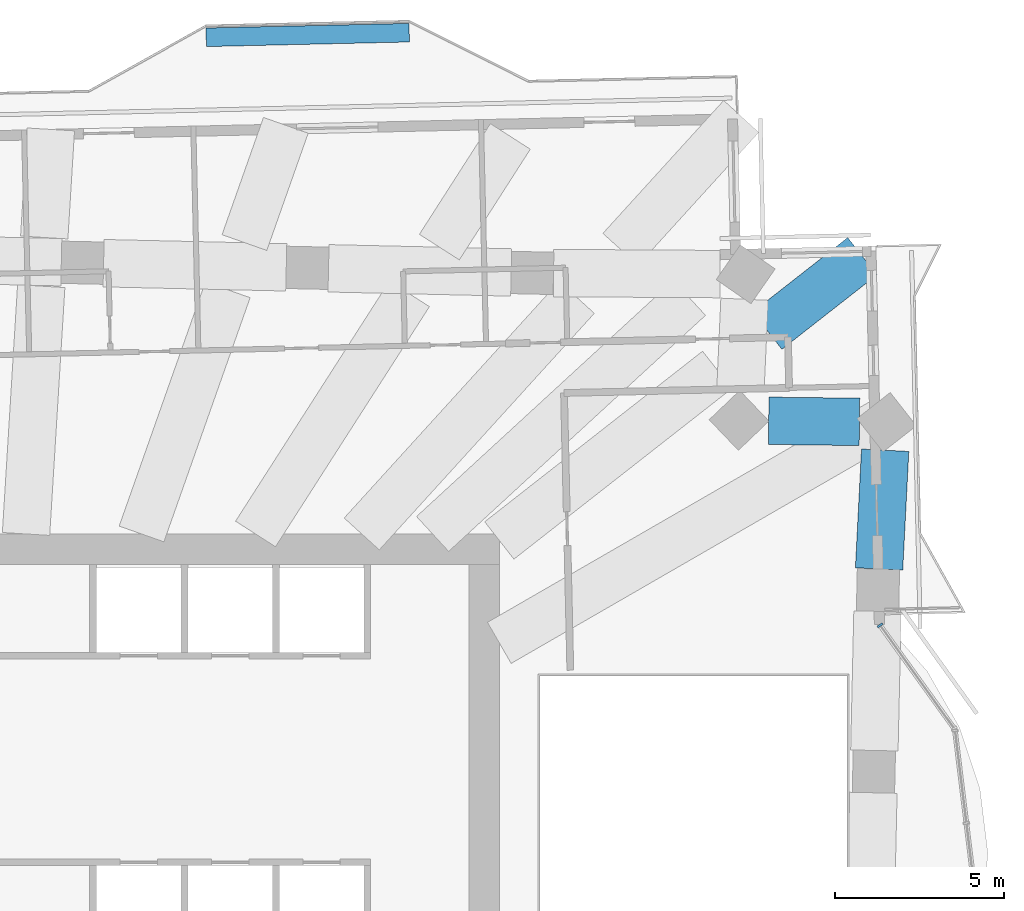
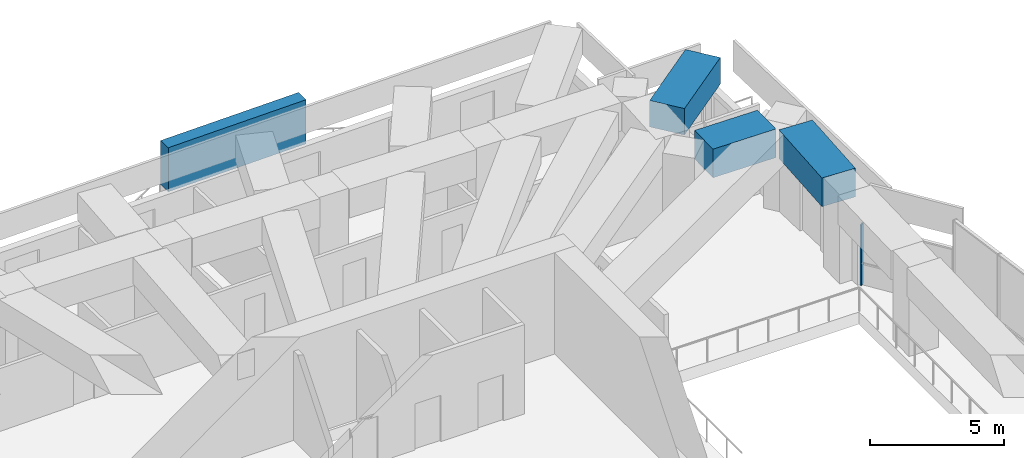
# One storey, part 6 of 17: 3 beams, 2 members, 1 element without a shape of its own.
"""IFC4 building model written with IfcOpenShell, lengths in metres."""

import ifcopenshell
import ifcopenshell.guid

model = None  # the IFC model being written
_history = None  # IfcOwnerHistory: only IFC2X3 demands one
_inside = {}  # id of a spatial element -> (the spatial element, [elements in it])
_under = {}  # id of a project, library or spatial element -> (it, [spatial elements below it])
_declared = {}  # id of a project -> (the project, [libraries it declares])
_typed = {}  # id of a type object -> (the type object, [elements of that type])
_made_of = {}  # id of a material, layer set ... -> (it, [elements and type objects made of it])


def new_model(schema):
    """Start an empty IFC model of exactly this schema.

    Asked for "IFC4X3", IfcOpenShell would pick the latest addendum, in which some entities
    have other attributes; the version numbers below select the first issue.
    IFC2X3 requires an IfcOwnerHistory on every rooted entity: one is made here for all.
    """
    global model, _history
    if schema == "IFC4X3":
        model = ifcopenshell.file(schema_version=(4, 3, 0, 0))
    else:
        model = ifcopenshell.file(schema=schema)
    _inside.clear()
    _under.clear()
    _declared.clear()
    _typed.clear()
    _made_of.clear()
    _history = None
    if model.schema == "IFC2X3":
        org = make("IfcOrganization", Name="unknown")
        user = make(
            "IfcPersonAndOrganization",
            ThePerson=make("IfcPerson", FamilyName="unknown"),
            TheOrganization=org,
        )
        app = make(
            "IfcApplication",
            ApplicationDeveloper=org,
            Version="unknown",
            ApplicationFullName="unknown",
            ApplicationIdentifier="unknown",
        )
        _history = make(
            "IfcOwnerHistory",
            OwningUser=user,
            OwningApplication=app,
            ChangeAction="ADDED",
            CreationDate=0,
        )
    return model


def make(cls, **values):
    """One entity of the class cls with the attributes given. An attribute that is None is left unset."""
    return model.create_entity(
        cls, **{name: value for name, value in values.items() if value is not None}
    )


def rooted(cls, **values):
    """An entity with a GlobalId (a new one), such as an element, a storey or a relation."""
    return make(cls, GlobalId=ifcopenshell.guid.new(), OwnerHistory=_history, **values)


def si_unit(unit_type, name, prefix=None):
    """IfcSIUnit, for example si_unit("LENGTHUNIT", "METRE", prefix="MILLI")."""
    return make("IfcSIUnit", UnitType=unit_type, Prefix=prefix, Name=name)


def assignment(units):
    """IfcUnitAssignment: the units of a project."""
    return None if units is None else make("IfcUnitAssignment", Units=units)


def point(xyz):
    """IfcCartesianPoint."""
    return None if xyz is None else make("IfcCartesianPoint", Coordinates=xyz)


def direction(xyz):
    """IfcDirection."""
    return None if xyz is None else make("IfcDirection", DirectionRatios=xyz)


def frame(location, z_axis=None, x_axis=None):
    """IfcAxis2Placement3D, a coordinate frame: its origin and axes. An axis left out is left unset."""
    return make(
        "IfcAxis2Placement3D",
        Location=point(location),
        Axis=direction(z_axis),
        RefDirection=direction(x_axis),
    )


def frame_2d(location, x_axis=None):
    """IfcAxis2Placement2D, a coordinate frame in the plane: its origin and x axis."""
    return make(
        "IfcAxis2Placement2D", Location=point(location), RefDirection=direction(x_axis)
    )


def origin():
    """The frame at (0, 0, 0) with its axes left unset."""
    return frame((0.0, 0.0, 0.0))


def origin_2d():
    """The frame at (0, 0) in the plane with its x axis left unset."""
    return frame_2d((0.0, 0.0))


def place(relative_to, where):
    """IfcLocalPlacement: puts the frame where relative to a parent placement (None: the world)."""
    return make(
        "IfcLocalPlacement", PlacementRelTo=relative_to, RelativePlacement=where
    )


def context(
    kind, dimensions, precision=None, world=None, true_north=None, identifier=None
):
    """IfcGeometricRepresentationContext, for example the 3D "Model" context."""
    return make(
        "IfcGeometricRepresentationContext",
        ContextIdentifier=identifier,
        ContextType=kind,
        CoordinateSpaceDimension=dimensions,
        Precision=precision,
        WorldCoordinateSystem=world,
        TrueNorth=true_north,
    )


def subcontext(parent, identifier, kind, view, scale=None):
    """IfcGeometricRepresentationSubContext, for example "Body" below "Model"."""
    return make(
        "IfcGeometricRepresentationSubContext",
        ContextIdentifier=identifier,
        ContextType=kind,
        ParentContext=parent,
        TargetScale=scale,
        TargetView=view,
    )


def project(units=None, contexts=None):
    """IfcProject with its units and contexts."""
    return rooted(
        "IfcProject",
        Name="project",
        RepresentationContexts=contexts,
        UnitsInContext=assignment(units),
    )


def spatial(cls, under=None, at=None, **own):
    """A site, building, storey or space (cls), placed at a placement, below another one or the project."""
    s = rooted(cls, ObjectPlacement=at, **own)
    if under is not None:
        _under.setdefault(under.id(), (under, []))[1].append(s)
    return s


def profile(cls, at=None, kind="AREA", **sizes):
    """A parametric profile (cls). Its sizes go by their IFC names, for example OverallWidth=200.0."""
    return make(cls, ProfileType=kind, Position=at, **sizes)


def rectangle(**sizes):
    """IfcRectangleProfileDef."""
    return profile("IfcRectangleProfileDef", **sizes)


def extrude(swept, where, along, depth):
    """IfcExtrudedAreaSolid: the profile swept, set in the frame where, extruded along a direction by depth."""
    return make(
        "IfcExtrudedAreaSolid",
        SweptArea=swept,
        Position=where,
        ExtrudedDirection=direction(along),
        Depth=depth,
    )


def shape(context_of_items, identifier, shape_type, items):
    """IfcShapeRepresentation: the items that make up one representation, for example the "Body"."""
    return make(
        "IfcShapeRepresentation",
        ContextOfItems=context_of_items,
        RepresentationIdentifier=identifier,
        RepresentationType=shape_type,
        Items=items,
    )


def material(Name=None, Category=None):
    """IfcMaterial."""
    return make("IfcMaterial", Name=Name, Category=Category)


def material_profile(
    of_material, cross_section, Name=None, Category=None, Priority=None
):
    """IfcMaterialProfile: a cross section and its material."""
    return make(
        "IfcMaterialProfile",
        Name=Name,
        Material=of_material,
        Profile=cross_section,
        Priority=Priority,
        Category=Category,
    )


def profile_set(profiles, Name=None, composite=None):
    """IfcMaterialProfileSet."""
    return make(
        "IfcMaterialProfileSet",
        Name=Name,
        MaterialProfiles=profiles,
        CompositeProfile=composite,
    )


def made_of(thing, what):
    """Note that an element or type object is made of a material, layer set ...; save() writes the relation."""
    if what is not None:
        _made_of.setdefault(what.id(), (what, []))[1].append(thing)
    return thing


def type_object(cls, material=None, **own):
    """A type object (cls), such as IfcWallType, which elements share."""
    return made_of(rooted(cls, **own), material)


def element(
    cls,
    number,
    at=None,
    inside=None,
    cuts=None,
    type_object=None,
    material=None,
    context=None,
    identifier="Body",
    shape_type=None,
    held_by="IfcProductDefinitionShape",
    body=None,
    shapes=None,
    **own,
):
    """One element of the class cls, such as IfcWall. Its Tag is "e" and its number.

    at: its placement. inside: the storey or other place that contains it. cuts: it is an
    opening in that element (IfcRelVoidsElement). A single representation is given by context,
    identifier, shape_type and body (its items); several are given by shapes. held_by: the class
    of the entity that holds the representations. save() writes the other relations.
    """
    e = rooted(cls, Tag="e%d" % number, ObjectPlacement=at, **own)
    if body is not None:
        shapes = [shape(context, identifier, shape_type, body)]
    if shapes is not None:
        e.Representation = make(held_by, Representations=shapes)
    if inside is not None:
        _inside.setdefault(inside.id(), (inside, []))[1].append(e)
    if cuts is not None:
        rooted(
            "IfcRelVoidsElement", RelatingBuildingElement=cuts, RelatedOpeningElement=e
        )
    if type_object is not None:
        _typed.setdefault(type_object.id(), (type_object, []))[1].append(e)
    return made_of(e, material)


def aggregate(whole, parts):
    """IfcRelAggregates: a whole, such as a stair, and the parts it consists of."""
    return rooted("IfcRelAggregates", RelatingObject=whole, RelatedObjects=parts)


def save(model, path):
    """Write the relations noted so far, then the file.

    IfcRelAggregates (storeys below a building ...), IfcRelContainedInSpatialStructure (elements
    in a storey), IfcRelDefinesByType, IfcRelAssociatesMaterial and IfcRelDeclares: one each for
    every whole, place, type object, material and project.
    """
    for whole, parts in _under.values():
        aggregate(whole, parts)
    for where, things in _inside.values():
        rooted(
            "IfcRelContainedInSpatialStructure",
            RelatedElements=things,
            RelatingStructure=where,
        )
    for kind, things in _typed.values():
        rooted("IfcRelDefinesByType", RelatedObjects=things, RelatingType=kind)
    for what, things in _made_of.values():
        rooted("IfcRelAssociatesMaterial", RelatedObjects=things, RelatingMaterial=what)
    for by, libraries in _declared.values():
        rooted("IfcRelDeclares", RelatingContext=by, RelatedDefinitions=libraries)
    model.write(path)


model = new_model("IFC4")

# Units and contexts
model_context = context("Model", 3, precision=1e-05, world=origin(), true_north=direction((0.0, 1.0)))
body_context = subcontext(model_context, "Body", "Model", "MODEL_VIEW")
ifc_project = project(units=[si_unit("LENGTHUNIT", "METRE"), si_unit("AREAUNIT", "SQUARE_METRE"), si_unit("VOLUMEUNIT", "CUBIC_METRE"), si_unit("PLANEANGLEUNIT", "RADIAN"), si_unit("MASSUNIT", "GRAM", prefix="KILO")], contexts=[model_context])

# Site, building, storey
site_placement = place(None, origin())
site = spatial("IfcSite", under=ifc_project, at=site_placement, CompositionType="ELEMENT")
building_placement = place(site_placement, origin())
building = spatial("IfcBuilding", under=site, at=building_placement, Name="Mangrove Gate Tower", CompositionType="ELEMENT")
storey_placement = place(building_placement, frame((0.0, 0.0, 170.699951171875)))
storey = spatial("IfcBuildingStorey", under=building, at=storey_placement, Name="L43", CompositionType="ELEMENT", Elevation=170.699951171875)

# Member
ifc_material_1 = material(Name="Planting on aluminium trellis", Category="aluminium")
ifc_material_profile_1 = material_profile(ifc_material_1, rectangle(XDim=0.550048828125, YDim=2.0, at=origin_2d()))
ifc_profile_set_1 = profile_set([ifc_material_profile_1], Name="Planting on aluminium trellis")
member_type_1 = type_object("IfcMemberType", Name="Balcony greenery screen 550x2000", PredefinedType="USERDEFINED", material=ifc_profile_set_1)
member_1_placement = place(storey_placement, frame((6.0400390625, 26.3720703125, 1.800048828125), z_axis=(0.999743094499, 0.022665943652, 0.0), x_axis=(-0.022665943652, 0.999743094499, 0.0)))
element("IfcMember", 1, at=member_1_placement, inside=storey, type_object=member_type_1, Name="GREEN SCREEN L43 N0.1", ObjectType="PLANTING", PredefinedType="USERDEFINED", context=body_context, shape_type="SweptSolid", body=[
    extrude(rectangle(XDim=0.550048828125, YDim=2.0, at=origin_2d()), origin(), (0.0, 0.0, 1.0), 5.99951171875),
])

# Curtain wall, member
ifc_material_2 = material(Name="Aluminium and glass curtain wall", Category="aluminium")
curtain_wall_type = type_object("IfcCurtainWallType", Name="Sky-lounge glazing wall", PredefinedType="NOTDEFINED", material=ifc_material_2)
curtain_wall_placement = place(storey_placement, origin())
curtain_wall = element("IfcCurtainWall", 2, at=curtain_wall_placement, inside=storey, type_object=curtain_wall_type, Name="Sky-lounge glazing E1f3", PredefinedType="NOTDEFINED")
ifc_material_3 = material(Name="Aluminium alloy 6063-T6", Category="aluminium")
ifc_material_profile_2 = material_profile(ifc_material_3, rectangle(XDim=0.06005859375, YDim=0.179931640625, at=origin_2d()))
ifc_profile_set_2 = profile_set([ifc_material_profile_2], Name="Aluminium alloy 6063-T6")
member_type_2 = type_object("IfcMemberType", Name="Sky-lounge glazing mullion 60x180", PredefinedType="MULLION", material=ifc_profile_set_2)
member_2_placement = place(storey_placement, frame((25.946533203125, 9.000244140625, 0.0), z_axis=(0.0, 0.0, 1.0), x_axis=(-0.583670260779, 0.811990779925, 0.0)))
member_2 = element("IfcMember", 3, at=member_2_placement, type_object=member_type_2, Name="CWK mullion 2", PredefinedType="MULLION", context=body_context, shape_type="SweptSolid", body=[
    extrude(rectangle(XDim=0.06005859375, YDim=0.179931640625, at=origin_2d()), origin(), (0.0, 0.0, 1.0), 2.75),
])
aggregate(curtain_wall, [member_2])

# Beams
ifc_material_4 = material(Name="Concrete C60/75", Category="concrete")
ifc_material_profile_3 = material_profile(ifc_material_4, rectangle(XDim=1.39990234375, YDim=1.199951171875, at=origin_2d()))
ifc_profile_set_3 = profile_set([ifc_material_profile_3], Name="Concrete C60/75")
beam_type_1 = type_object("IfcBeamType", Name="Transfer girder RC 1400x1200 C60/75", PredefinedType="BEAM", material=ifc_profile_set_3)
beam_1_placement = place(storey_placement, frame((22.615966796875, 17.70556640625, 3.449951171875), z_axis=(0.787376441296, 0.61647249711, 0.0), x_axis=(-0.61647249711, 0.787376441296, 0.0)))
element("IfcBeam", 4, at=beam_1_placement, inside=storey, type_object=beam_type_1, Name="Transfer cantilever girder L43 17", PredefinedType="BEAM", context=body_context, shape_type="SweptSolid", body=[
    extrude(rectangle(XDim=1.39990234375, YDim=1.199951171875, at=origin_2d()), origin(), (0.0, 0.0, 1.0), 3.567138671875),
])
ifc_material_5 = material(Name="Concrete C60/75", Category="concrete")
ifc_material_profile_4 = material_profile(ifc_material_5, rectangle(XDim=1.39990234375, YDim=1.300048828125, at=origin_2d()))
ifc_profile_set_4 = profile_set([ifc_material_profile_4], Name="Concrete C60/75")
beam_type_2 = type_object("IfcBeamType", Name="Transfer girder RC 1400x1300 C60/75", PredefinedType="BEAM", material=ifc_profile_set_4)
beam_2_placement = place(storey_placement, frame((25.918212890625, 10.66357421875, 3.400146484375), z_axis=(0.051264492748, 0.998685111426, 0.0), x_axis=(-0.998685111426, 0.051264492748, 0.0)))
element("IfcBeam", 5, at=beam_2_placement, inside=storey, type_object=beam_type_2, Name="Transfer ring girder L43 16", PredefinedType="BEAM", context=body_context, shape_type="SweptSolid", body=[
    extrude(rectangle(XDim=1.39990234375, YDim=1.300048828125, at=origin_2d()), origin(), (0.0, 0.0, 1.0), 3.5146484375),
])
beam_3_placement = place(storey_placement, frame((25.33935546875, 15.010498046875, 3.400146484375), z_axis=(-0.999924520308, 0.012286321129, 0.0), x_axis=(-0.012286321129, -0.999924520308, 0.0)))
element("IfcBeam", 6, at=beam_3_placement, inside=storey, type_object=beam_type_2, Name="Transfer ring girder L43 17", PredefinedType="BEAM", context=body_context, shape_type="SweptSolid", body=[
    extrude(rectangle(XDim=1.39990234375, YDim=1.300048828125, at=origin_2d()), origin(), (0.0, 0.0, 1.0), 2.6826171875),
])

save(model, "model.ifc")
